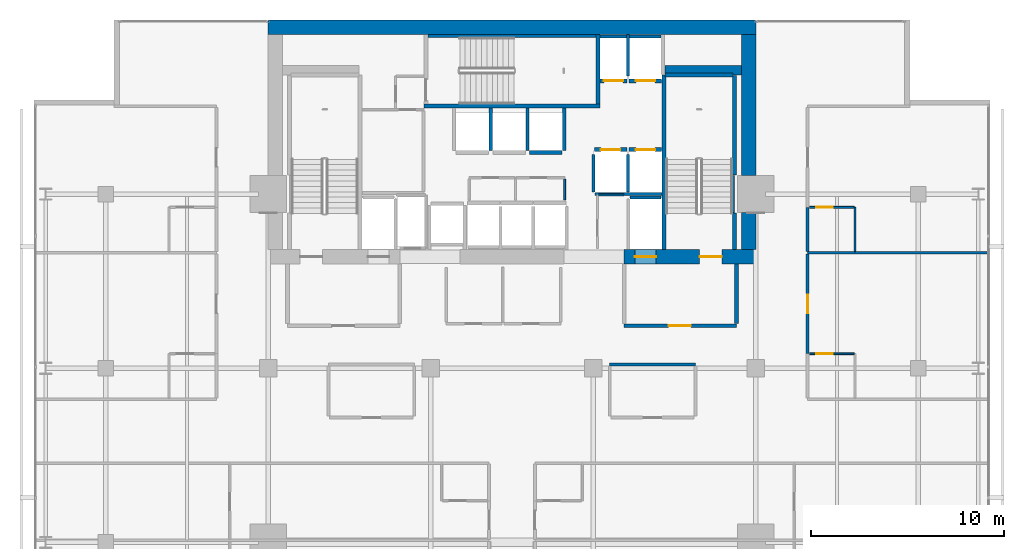
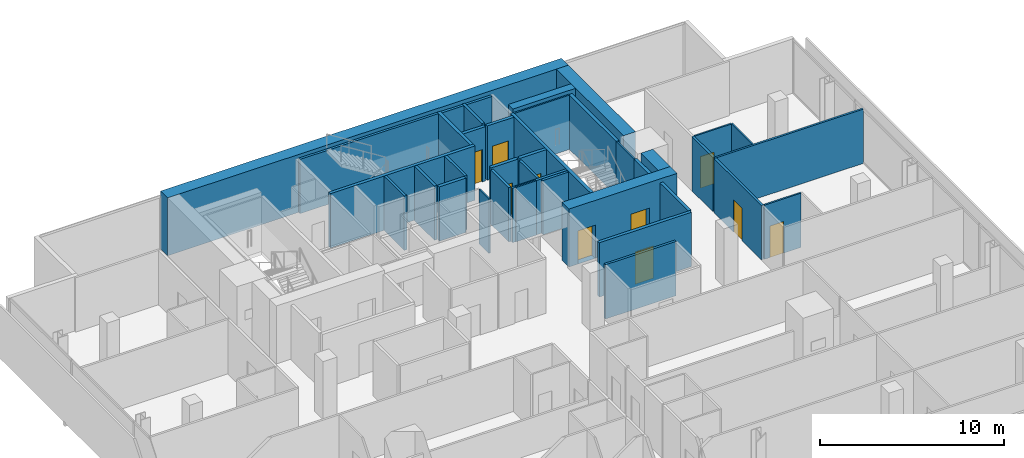
# One storey, part 31 of 34: 38 walls, 10 doors, 10 openings.
"""IFC4 building model written with IfcOpenShell, lengths in metres."""

from ifc_helpers import new_model, si_unit, direction, frame, frame_2d, origin, place, context, subcontext, project, spatial, rectangle, extrude, material, layer, layer_set, type_object, element, fill, save


model = new_model("IFC4")

# Units and contexts
model_context = context("Model", 3, precision=1e-05, world=origin(), true_north=direction((0.0, 1.0)))
body_context = subcontext(model_context, "Body", "Model", "MODEL_VIEW")
ifc_project = project(units=[si_unit("LENGTHUNIT", "METRE"), si_unit("AREAUNIT", "SQUARE_METRE"), si_unit("VOLUMEUNIT", "CUBIC_METRE"), si_unit("PLANEANGLEUNIT", "RADIAN"), si_unit("MASSUNIT", "GRAM", prefix="KILO")], contexts=[model_context])

# Site, building, storey
site_placement = place(None, origin())
site = spatial("IfcSite", under=ifc_project, at=site_placement, CompositionType="ELEMENT")
building_placement = place(site_placement, origin())
building = spatial("IfcBuilding", under=site, at=building_placement, Name="Maruvema Waterfront Hotel and Observation Tower", CompositionType="ELEMENT")
storey_placement = place(building_placement, frame((0.0, 0.0, 135.10009765625)))
storey = spatial("IfcBuildingStorey", under=building, at=storey_placement, Name="L32", CompositionType="ELEMENT", Elevation=135.10009765625)

# Wall
ifc_material_1 = material(Name="Twin-stud acoustic gypsum drywall", Category="gypsum")
ifc_layer_1 = layer(ifc_material_1, 0.14990234375, Name="Acoustic Corridor and Suite Demising Wall 150 mm")
ifc_layer_set_1 = layer_set([ifc_layer_1], Name="Twin-stud acoustic gypsum drywall")
wall_type_1 = type_object("IfcWallType", Name="Acoustic Corridor and Suite Demising Wall 150 mm", PredefinedType="PARTITIONING", material=ifc_layer_set_1)
wall_1_placement = place(storey_placement, frame((42.85009765625, 36.199951171875, 0.0), z_axis=(0.0, 0.0, 1.0), x_axis=(1.0, 0.0, 0.0)))
element("IfcWall", 1, at=wall_1_placement, inside=storey, type_object=wall_type_1, Name="L32 L32-M2 Back Wall 031", PredefinedType="PARTITIONING", context=body_context, shape_type="SweptSolid", body=[
    extrude(rectangle(XDim=4.429931640625, YDim=0.14990234375, at=frame_2d((2.21484375, 0.0))), origin(), (0.0, 0.0, 1.0), 3.60986328125),
])

# Wall, opening, door
wall_2_placement = place(storey_placement, frame((53.080078125, 36.75, 0.0), z_axis=(0.0, 0.0, 1.0), x_axis=(0.0, 1.0, 0.0)))
wall_2 = element("IfcWall", 2, at=wall_2_placement, inside=storey, type_object=wall_type_1, Name="L32 Room L32-NE1 Corridor Wall 130", PredefinedType="PARTITIONING", context=body_context, shape_type="SweptSolid", body=[
    extrude(rectangle(XDim=5.15869140625, YDim=0.14990234375, at=frame_2d((2.579345703125, 0.0))), origin(), (0.0, 0.0, 1.0), 3.60986328125),
])
opening_1_placement = place(wall_2_placement, frame((2.1044921875, 0.0, 0.0)))
opening_1 = element("IfcOpeningElement", 3, at=opening_1_placement, cuts=wall_2, Name="Opening DR-095", PredefinedType="OPENING", context=body_context, shape_type="SweptSolid", body=[
    extrude(rectangle(XDim=0.949951171875, YDim=2.14990234375, at=frame_2d((0.47509765625, 1.074951171875))), frame((0.0, 0.0849609375, 0.0), z_axis=(0.0, -1.0, 0.0), x_axis=(1.0, 0.0, 0.0)), (0.0, 0.0, 1.0), 0.169921875),
])
ifc_material_2 = material(Name="Acoustic solid-core hardwood timber leaf", Category="wood")
door_type_1 = type_object("IfcDoorType", Name="Guestroom Entrance Fire Door 950x2150 mm", OperationType="NOTDEFINED", PredefinedType="DOOR", material=ifc_material_2)
door_1_placement = place(opening_1_placement, frame((0.949951171875, 0.0, 0.0), z_axis=(0.0, 0.0, 1.0), x_axis=(-1.0, 0.0, 0.0)))
door_1 = element("IfcDoor", 4, at=door_1_placement, inside=storey, type_object=door_type_1, Name="L32 Room L32-NE1 Entrance Door", OperationType="SINGLE_SWING_RIGHT", OverallHeight=2.14990234375, OverallWidth=0.949951171875, PredefinedType="DOOR", context=body_context, shape_type="SweptSolid", body=[
    extrude(rectangle(XDim=0.949951171875, YDim=2.14990234375, at=frame_2d((0.47509765625, 1.074951171875))), frame((0.0, 0.02490234375, 0.0), z_axis=(0.0, -1.0, 0.0), x_axis=(1.0, 0.0, 0.0)), (0.0, 0.0, 1.0), 0.050048828125),
])
fill(opening_1, door_1)

# Walls
wall_3_placement = place(storey_placement, frame((53.080078125, 42.02880859375, 0.0), z_axis=(0.0, 0.0, 1.0), x_axis=(0.0, 1.0, 0.0)))
element("IfcWall", 5, at=wall_3_placement, inside=storey, type_object=wall_type_1, Name="L32 Bath L32-NE2 Wall 139", PredefinedType="PARTITIONING", context=body_context, shape_type="SweptSolid", body=[
    extrude(rectangle(XDim=2.2900390625, YDim=0.14990234375, at=frame_2d((1.14501953125, 0.0))), origin(), (0.0, 0.0, 1.0), 3.60986328125),
])
ifc_material_3 = material(Name="Precast concrete C45/55", Category="concrete")
ifc_layer_2 = layer(ifc_material_3, 0.14990234375, Name="Core Shaft Furring Wall 150 mm")
ifc_layer_set_2 = layer_set([ifc_layer_2], Name="Precast concrete C45/55")
wall_type_2 = type_object("IfcWallType", Name="Core Shaft Furring Wall 150 mm", PredefinedType="SOLIDWALL", material=ifc_layer_set_2)
wall_4_placement = place(storey_placement, frame((33.449951171875, 53.175048828125, 0.0), z_axis=(0.0, 0.0, 1.0), x_axis=(1.0, 0.0, 0.0)))
element("IfcWall", 6, at=wall_4_placement, inside=storey, type_object=wall_type_2, Name="L32 Stairwell ST-02 North Furring Wall", PredefinedType="SOLIDWALL", context=body_context, shape_type="SweptSolid", body=[
    extrude(rectangle(XDim=8.699951171875, YDim=0.14990234375, at=frame_2d((4.35009765625, 0.0))), origin(), (0.0, 0.0, 1.0), 3.60986328125),
])
ifc_material_4 = material(Name="Precast concrete C45/55", Category="concrete")
ifc_layer_3 = layer(ifc_material_4, 0.199951171875, Name="Core Shaft and Stairwell Enclosure Wall 200 mm")
ifc_layer_set_3 = layer_set([ifc_layer_3], Name="Precast concrete C45/55")
wall_type_3 = type_object("IfcWallType", Name="Core Shaft and Stairwell Enclosure Wall 200 mm", PredefinedType="SOLIDWALL", material=ifc_layer_set_3)
wall_5_placement = place(storey_placement, frame((33.25, 49.550048828125, 0.0), z_axis=(0.0, 0.0, 1.0), x_axis=(1.0, 0.0, 0.0)))
element("IfcWall", 7, at=wall_5_placement, inside=storey, type_object=wall_type_3, Name="L32 Stairwell ST-02 Shaft Wall", PredefinedType="SOLIDWALL", context=body_context, shape_type="SweptSolid", body=[
    extrude(rectangle(XDim=9.10009765625, YDim=0.199951171875, at=frame_2d((4.550048828125, 0.0))), origin(), (0.0, 0.0, 1.0), 3.60986328125),
])
wall_6_placement = place(storey_placement, frame((42.25, 49.64990234375, 0.0), z_axis=(0.0, 0.0, 1.0), x_axis=(0.0, 1.0, 0.0)))
element("IfcWall", 8, at=wall_6_placement, inside=storey, type_object=wall_type_3, Name="L32 Stairwell ST-02 Shaft Wall", PredefinedType="SOLIDWALL", context=body_context, shape_type="SweptSolid", body=[
    extrude(rectangle(XDim=3.60009765625, YDim=0.199951171875, at=frame_2d((1.800048828125, 0.0))), origin(), (0.0, 0.0, 1.0), 3.60986328125),
])
wall_7_placement = place(storey_placement, frame((45.64990234375, 42.14990234375, 0.0), z_axis=(0.0, 0.0, 1.0), x_axis=(0.0, 1.0, 0.0)))
element("IfcWall", 9, at=wall_7_placement, inside=storey, type_object=wall_type_3, Name="L32 Stairwell ST-03 West Shaft Wall", PredefinedType="SOLIDWALL", context=body_context, shape_type="SweptSolid", body=[
    extrude(rectangle(XDim=9.0, YDim=0.199951171875, at=frame_2d((4.5, 0.0))), origin(), (0.0, 0.0, 1.0), 3.60986328125),
])
wall_8_placement = place(storey_placement, frame((49.300048828125, 42.14990234375, 0.0), z_axis=(0.0, 0.0, 1.0), x_axis=(0.0, 1.0, 0.0)))
element("IfcWall", 10, at=wall_8_placement, inside=storey, type_object=wall_type_3, Name="L32 Stairwell ST-03 Shaft Lining Wall", PredefinedType="SOLIDWALL", context=body_context, shape_type="SweptSolid", body=[
    extrude(rectangle(XDim=1.8701171875, YDim=0.199951171875, at=frame_2d((0.93505859375, 0.0))), origin(), (0.0, 0.0, 1.0), 3.60986328125),
])
wall_9_placement = place(storey_placement, frame((49.300048828125, 45.97998046875, 0.0), z_axis=(0.0, 0.0, 1.0), x_axis=(0.0, 1.0, 0.0)))
element("IfcWall", 11, at=wall_9_placement, inside=storey, type_object=wall_type_3, Name="L32 Stairwell ST-03 Shaft Lining Wall", PredefinedType="SOLIDWALL", context=body_context, shape_type="SweptSolid", body=[
    extrude(rectangle(XDim=5.14013671875, YDim=0.199951171875, at=frame_2d((2.570068359375, 0.0))), origin(), (0.0, 0.0, 1.0), 3.60986328125),
])
wall_10_placement = place(storey_placement, frame((45.719970703125, 51.14990234375, 0.0), z_axis=(0.0, 0.0, 1.0), x_axis=(1.0, 0.0, 0.0)))
element("IfcWall", 12, at=wall_10_placement, inside=storey, type_object=wall_type_3, Name="L32 Stairwell ST-03 Shaft Lining Wall", PredefinedType="SOLIDWALL", context=body_context, shape_type="SweptSolid", body=[
    extrude(rectangle(XDim=3.5, YDim=0.199951171875, at=frame_2d((1.75, 0.0))), origin(), (0.0, 0.0, 1.0), 3.60986328125),
])

# Wall, opening, door
wall_11_placement = place(storey_placement, frame((42.06005859375, 47.300048828125, 0.0), z_axis=(0.0, 0.0, 1.0), x_axis=(1.0, 0.0, 0.0)))
wall_11 = element("IfcWall", 13, at=wall_11_placement, inside=storey, type_object=wall_type_3, Name="L32 Lift LF-05 Hoistway Front Wall", PredefinedType="SOLIDWALL", context=body_context, shape_type="SweptSolid", body=[
    extrude(rectangle(XDim=1.679931640625, YDim=0.199951171875, at=frame_2d((0.83984375, 0.0))), origin(), (0.0, 0.0, 1.0), 3.60986328125),
])
opening_2_placement = place(wall_11_placement, frame((0.340087890625, 0.0, 0.0)))
opening_2 = element("IfcOpeningElement", 14, at=opening_2_placement, cuts=wall_11, Name="Opening LD-01", PredefinedType="OPENING", context=body_context, shape_type="SweptSolid", body=[
    extrude(rectangle(XDim=1.0, YDim=2.14990234375, at=frame_2d((0.5, 1.074951171875))), frame((0.0, 0.10986328125, 0.0), z_axis=(0.0, -1.0, 0.0), x_axis=(1.0, 0.0, 0.0)), (0.0, 0.0, 1.0), 0.219970703125),
])
ifc_material_5 = material(Name="Brushed stainless steel Grade 316", Category="steel")
door_type_2 = type_object("IfcDoorType", Name="Passenger Lift Sliding Landing Door 1000x2150 mm", OperationType="SLIDING_TO_LEFT", PredefinedType="DOOR", material=ifc_material_5)
door_2_placement = place(opening_2_placement, origin())
door_2 = element("IfcDoor", 15, at=door_2_placement, inside=storey, type_object=door_type_2, Name="L32 Lift LF-05 Sliding Landing Door", OperationType="SLIDING_TO_LEFT", OverallHeight=2.14990234375, OverallWidth=1.0, PredefinedType="DOOR", context=body_context, shape_type="SweptSolid", body=[
    extrude(rectangle(XDim=1.0, YDim=2.14990234375, at=frame_2d((0.5, 1.074951171875))), frame((0.0, 0.02490234375, 0.0), z_axis=(0.0, -1.0, 0.0), x_axis=(1.0, 0.0, 0.0)), (0.0, 0.0, 1.0), 0.050048828125),
])
fill(opening_2, door_2)

wall_12_placement = place(storey_placement, frame((43.860107421875, 47.300048828125, 0.0), z_axis=(0.0, 0.0, 1.0), x_axis=(1.0, 0.0, 0.0)))
wall_12 = element("IfcWall", 16, at=wall_12_placement, inside=storey, type_object=wall_type_3, Name="L32 Lift LF-06 Hoistway Front Wall", PredefinedType="SOLIDWALL", context=body_context, shape_type="SweptSolid", body=[
    extrude(rectangle(XDim=1.679931640625, YDim=0.199951171875, at=frame_2d((0.83984375, 0.0))), origin(), (0.0, 0.0, 1.0), 3.60986328125),
])
opening_3_placement = place(wall_12_placement, frame((0.340087890625, 0.0, 0.0)))
opening_3 = element("IfcOpeningElement", 17, at=opening_3_placement, cuts=wall_12, Name="Opening LD-01", PredefinedType="OPENING", context=body_context, shape_type="SweptSolid", body=[
    extrude(rectangle(XDim=1.0, YDim=2.14990234375, at=frame_2d((0.5, 1.074951171875))), frame((0.0, 0.10986328125, 0.0), z_axis=(0.0, -1.0, 0.0), x_axis=(1.0, 0.0, 0.0)), (0.0, 0.0, 1.0), 0.219970703125),
])
door_3_placement = place(opening_3_placement, origin())
door_3 = element("IfcDoor", 18, at=door_3_placement, inside=storey, type_object=door_type_2, Name="L32 Lift LF-06 Sliding Landing Door", OperationType="SLIDING_TO_LEFT", OverallHeight=2.14990234375, OverallWidth=1.0, PredefinedType="DOOR", context=body_context, shape_type="SweptSolid", body=[
    extrude(rectangle(XDim=1.0, YDim=2.14990234375, at=frame_2d((0.5, 1.074951171875))), frame((0.0, 0.02490234375, 0.0), z_axis=(0.0, -1.0, 0.0), x_axis=(1.0, 0.0, 0.0)), (0.0, 0.0, 1.0), 0.050048828125),
])
fill(opening_3, door_3)

wall_13_placement = place(storey_placement, frame((42.360107421875, 50.85009765625, 0.0), z_axis=(0.0, 0.0, 1.0), x_axis=(1.0, 0.0, 0.0)))
wall_13 = element("IfcWall", 19, at=wall_13_placement, inside=storey, type_object=wall_type_3, Name="L32 Lift LF-07 Hoistway Front Wall", PredefinedType="SOLIDWALL", context=body_context, shape_type="SweptSolid", body=[
    extrude(rectangle(XDim=1.3798828125, YDim=0.199951171875, at=frame_2d((0.68994140625, 0.0))), origin(), (0.0, 0.0, 1.0), 3.60986328125),
])
opening_4_placement = place(wall_13_placement, frame((0.18994140625, 0.0, 0.0)))
opening_4 = element("IfcOpeningElement", 20, at=opening_4_placement, cuts=wall_13, Name="Opening LD-01", PredefinedType="OPENING", context=body_context, shape_type="SweptSolid", body=[
    extrude(rectangle(XDim=1.0, YDim=2.14990234375, at=frame_2d((0.5, 1.074951171875))), frame((0.0, 0.10986328125, 0.0), z_axis=(0.0, -1.0, 0.0), x_axis=(1.0, 0.0, 0.0)), (0.0, 0.0, 1.0), 0.219970703125),
])
door_4_placement = place(opening_4_placement, frame((1.0, 0.0, 0.0), z_axis=(0.0, 0.0, 1.0), x_axis=(-1.0, 0.0, 0.0)))
door_4 = element("IfcDoor", 21, at=door_4_placement, inside=storey, type_object=door_type_2, Name="L32 Lift LF-07 Sliding Landing Door", OperationType="SLIDING_TO_LEFT", OverallHeight=2.14990234375, OverallWidth=1.0, PredefinedType="DOOR", context=body_context, shape_type="SweptSolid", body=[
    extrude(rectangle(XDim=1.0, YDim=2.14990234375, at=frame_2d((0.5, 1.074951171875))), frame((0.0, 0.02490234375, 0.0), z_axis=(0.0, -1.0, 0.0), x_axis=(1.0, 0.0, 0.0)), (0.0, 0.0, 1.0), 0.050048828125),
])
fill(opening_4, door_4)

wall_14_placement = place(storey_placement, frame((43.860107421875, 50.85009765625, 0.0), z_axis=(0.0, 0.0, 1.0), x_axis=(1.0, 0.0, 0.0)))
wall_14 = element("IfcWall", 22, at=wall_14_placement, inside=storey, type_object=wall_type_3, Name="L32 Lift LF-08 Hoistway Front Wall", PredefinedType="SOLIDWALL", context=body_context, shape_type="SweptSolid", body=[
    extrude(rectangle(XDim=1.679931640625, YDim=0.199951171875, at=frame_2d((0.83984375, 0.0))), origin(), (0.0, 0.0, 1.0), 3.60986328125),
])
opening_5_placement = place(wall_14_placement, frame((0.340087890625, 0.0, 0.0)))
opening_5 = element("IfcOpeningElement", 23, at=opening_5_placement, cuts=wall_14, Name="Opening LD-01", PredefinedType="OPENING", context=body_context, shape_type="SweptSolid", body=[
    extrude(rectangle(XDim=1.0, YDim=2.14990234375, at=frame_2d((0.5, 1.074951171875))), frame((0.0, 0.10986328125, 0.0), z_axis=(0.0, -1.0, 0.0), x_axis=(1.0, 0.0, 0.0)), (0.0, 0.0, 1.0), 0.219970703125),
])
door_5_placement = place(opening_5_placement, frame((1.0, 0.0, 0.0), z_axis=(0.0, 0.0, 1.0), x_axis=(-1.0, 0.0, 0.0)))
door_5 = element("IfcDoor", 24, at=door_5_placement, inside=storey, type_object=door_type_2, Name="L32 Lift LF-08 Sliding Landing Door", OperationType="SLIDING_TO_LEFT", OverallHeight=2.14990234375, OverallWidth=1.0, PredefinedType="DOOR", context=body_context, shape_type="SweptSolid", body=[
    extrude(rectangle(XDim=1.0, YDim=2.14990234375, at=frame_2d((0.5, 1.074951171875))), frame((0.0, 0.02490234375, 0.0), z_axis=(0.0, -1.0, 0.0), x_axis=(1.0, 0.0, 0.0)), (0.0, 0.0, 1.0), 0.050048828125),
])
fill(opening_5, door_5)

# Walls
wall_15_placement = place(storey_placement, frame((38.7099609375, 47.14990234375, 0.0), z_axis=(0.0, 0.0, 1.0), x_axis=(1.0, 0.0, 0.0)))
element("IfcWall", 25, at=wall_15_placement, inside=storey, type_object=wall_type_3, Name="L32 Lift LF-14 Hoistway Front Wall", PredefinedType="SOLIDWALL", context=body_context, shape_type="SweptSolid", body=[
    extrude(rectangle(XDim=1.679931640625, YDim=0.199951171875, at=frame_2d((0.83984375, 0.0))), origin(), (0.0, 0.0, 1.0), 3.60986328125),
])
ifc_material_6 = material(Name="Concrete C70/85", Category="concrete")
ifc_layer_4 = layer(ifc_material_6, 0.5, Name="Core Shear Wall 500 mm")
ifc_layer_set_4 = layer_set([ifc_layer_4], Name="Concrete C70/85")
wall_type_4 = type_object("IfcWallType", Name="Core Shear Wall 500 mm", PredefinedType="SHEAR", material=ifc_layer_set_4)
wall_16_placement = place(storey_placement, frame((45.699951171875, 51.39990234375, 0.0), z_axis=(0.0, 0.0, 1.0), x_axis=(1.0, 0.0, 0.0)))
element("IfcWall", 26, at=wall_16_placement, inside=storey, type_object=wall_type_4, Name="L32 Internal Core Shear Wall NE 500 mm", PredefinedType="SHEAR", context=body_context, shape_type="SweptSolid", body=[
    extrude(rectangle(XDim=3.949951171875, YDim=0.5, at=frame_2d((1.97509765625, 0.0))), origin(), (0.0, 0.0, 1.0), 3.849853515625),
])
ifc_material_7 = material(Name="Concrete C70/85", Category="concrete")
ifc_layer_5 = layer(ifc_material_7, 0.75, Name="Core Shear Wall 750 mm")
ifc_layer_set_5 = layer_set([ifc_layer_5], Name="Concrete C70/85")
wall_type_5 = type_object("IfcWallType", Name="Core Shear Wall 750 mm", PredefinedType="SHEAR", material=ifc_layer_set_5)
wall_17_placement = place(storey_placement, frame((25.199951171875, 53.625, 0.0), z_axis=(0.0, 0.0, 1.0), x_axis=(1.0, 0.0, 0.0)))
element("IfcWall", 27, at=wall_17_placement, inside=storey, type_object=wall_type_5, Name="L32 North Core Shear Wall", PredefinedType="SHEAR", context=body_context, shape_type="SweptSolid", body=[
    extrude(rectangle(XDim=25.199951171875, YDim=0.75, at=frame_2d((12.60009765625, 0.0))), origin(), (0.0, 0.0, 1.0), 3.849853515625),
])

# Wall, openings, doors
wall_18_placement = place(storey_placement, frame((43.60009765625, 41.77490234375, 0.0), z_axis=(0.0, 0.0, 1.0), x_axis=(1.0, 0.0, 0.0)))
wall_18 = element("IfcWall", 28, at=wall_18_placement, inside=storey, type_object=wall_type_5, Name="L32 South-East Core Shear Wall", PredefinedType="SHEAR", context=body_context, shape_type="SweptSolid", body=[
    extrude(rectangle(XDim=6.7998046875, YDim=0.75, at=frame_2d((3.39990234375, 0.0))), origin(), (0.0, 0.0, 1.0), 3.849853515625),
])
opening_6_placement = place(wall_18_placement, frame((3.89990234375, 0.0, 0.0)))
opening_6 = element("IfcOpeningElement", 29, at=opening_6_placement, cuts=wall_18, Name="Opening SD-01", PredefinedType="OPENING", context=body_context, shape_type="SweptSolid", body=[
    extrude(rectangle(XDim=1.14990234375, YDim=2.14990234375, at=frame_2d((0.574951171875, 1.074951171875))), frame((0.0, 0.385009765625, 0.0), z_axis=(0.0, -1.0, 0.0), x_axis=(1.0, 0.0, 0.0)), (0.0, 0.0, 1.0), 0.77001953125),
])
opening_7_placement = place(wall_18_placement, frame((0.550048828125, 0.0, 0.0)))
opening_7 = element("IfcOpeningElement", 30, at=opening_7_placement, cuts=wall_18, Name="Opening LD-03", PredefinedType="OPENING", context=body_context, shape_type="SweptSolid", body=[
    extrude(rectangle(XDim=1.10009765625, YDim=2.199951171875, at=frame_2d((0.550048828125, 1.10009765625))), frame((0.0, 0.385009765625, 0.0), z_axis=(0.0, -1.0, 0.0), x_axis=(1.0, 0.0, 0.0)), (0.0, 0.0, 1.0), 0.77001953125),
])
ifc_material_8 = material(Name="Fire-rated galvanised steel leaf", Category="steel")
door_type_3 = type_object("IfcDoorType", Name="Exit Stair Fire Door 1150x2150 mm", OperationType="NOTDEFINED", PredefinedType="DOOR", material=ifc_material_8)
door_6_placement = place(opening_6_placement, origin())
door_6 = element("IfcDoor", 31, at=door_6_placement, inside=storey, type_object=door_type_3, Name="L32 Exit Stair ST-03 Fire Door", OperationType="SINGLE_SWING_RIGHT", OverallHeight=2.14990234375, OverallWidth=1.14990234375, PredefinedType="DOOR", context=body_context, shape_type="SweptSolid", body=[
    extrude(rectangle(XDim=1.14990234375, YDim=2.14990234375, at=frame_2d((0.574951171875, 1.074951171875))), frame((0.0, 0.02490234375, 0.0), z_axis=(0.0, -1.0, 0.0), x_axis=(1.0, 0.0, 0.0)), (0.0, 0.0, 1.0), 0.050048828125),
])
fill(opening_6, door_6)
ifc_material_9 = material(Name="Brushed stainless steel Grade 316", Category="steel")
door_type_4 = type_object("IfcDoorType", Name="Firefighting Lift Sliding Landing Door 1100x2200 mm", OperationType="SLIDING_TO_LEFT", PredefinedType="DOOR", material=ifc_material_9)
door_7_placement = place(opening_7_placement, frame((1.10009765625, 0.0, 0.0), z_axis=(0.0, 0.0, 1.0), x_axis=(-1.0, 0.0, 0.0)))
door_7 = element("IfcDoor", 32, at=door_7_placement, inside=storey, type_object=door_type_4, Name="L32 Firefighting Lift FL-02 Landing Door", OperationType="SLIDING_TO_LEFT", OverallHeight=2.199951171875, OverallWidth=1.10009765625, PredefinedType="DOOR", context=body_context, shape_type="SweptSolid", body=[
    extrude(rectangle(XDim=1.10009765625, YDim=2.199951171875, at=frame_2d((0.550048828125, 1.10009765625))), frame((0.0, 0.02490234375, 0.0), z_axis=(0.0, -1.0, 0.0), x_axis=(1.0, 0.0, 0.0)), (0.0, 0.0, 1.0), 0.050048828125),
])
fill(opening_7, door_7)

# Walls
wall_19_placement = place(storey_placement, frame((50.02490234375, 42.14990234375, 0.0), z_axis=(0.0, 0.0, 1.0), x_axis=(0.0, 1.0, 0.0)))
element("IfcWall", 33, at=wall_19_placement, inside=storey, type_object=wall_type_5, Name="L32 East-South Core Shear Wall", PredefinedType="SHEAR", context=body_context, shape_type="SweptSolid", body=[
    extrude(rectangle(XDim=1.900146484375, YDim=0.75, at=frame_2d((0.9501953125, 0.0))), origin(), (0.0, 0.0, 1.0), 3.849853515625),
])
wall_20_placement = place(storey_placement, frame((50.02490234375, 45.949951171875, 0.0), z_axis=(0.0, 0.0, 1.0), x_axis=(0.0, 1.0, 0.0)))
element("IfcWall", 34, at=wall_20_placement, inside=storey, type_object=wall_type_5, Name="L32 East-North Core Shear Wall", PredefinedType="SHEAR", context=body_context, shape_type="SweptSolid", body=[
    extrude(rectangle(XDim=7.300048828125, YDim=0.75, at=frame_2d((3.64990234375, 0.0))), origin(), (0.0, 0.0, 1.0), 3.849853515625),
])
ifc_material_10 = material(Name="Moisture-resistant cement-board drywall", Category="gypsum")
ifc_layer_6 = layer(ifc_material_10, 0.10009765625, Name="En-Suite Moisture-Resistant Partition 100 mm")
ifc_layer_set_6 = layer_set([ifc_layer_6], Name="Moisture-resistant cement-board drywall")
wall_type_6 = type_object("IfcWallType", Name="En-Suite Moisture-Resistant Partition 100 mm", PredefinedType="PARTITIONING", material=ifc_layer_set_6)
wall_21_placement = place(storey_placement, frame((40.52001953125, 44.699951171875, 0.0), z_axis=(0.0, 0.0, 1.0), x_axis=(0.0, 1.0, 0.0)))
element("IfcWall", 35, at=wall_21_placement, inside=storey, type_object=wall_type_6, Name="L32 Core Closet K2 East 014", PredefinedType="PARTITIONING", context=body_context, shape_type="SweptSolid", body=[
    extrude(rectangle(XDim=1.080078125, YDim=0.10009765625, at=frame_2d((0.5400390625, 0.0))), origin(), (0.0, 0.0, 1.0), 3.60986328125),
])
wall_22_placement = place(storey_placement, frame((42.280029296875, 44.9599609375, 0.0), z_axis=(0.0, 0.0, 1.0), x_axis=(1.0, 0.0, 0.0)))
element("IfcWall", 36, at=wall_22_placement, inside=storey, type_object=wall_type_6, Name="L32 Core Closet K2C North 016", PredefinedType="PARTITIONING", context=body_context, shape_type="SweptSolid", body=[
    extrude(rectangle(XDim=1.300048828125, YDim=0.10009765625, at=frame_2d((0.64990234375, 0.0))), origin(), (0.0, 0.0, 1.0), 3.60986328125),
])

# Wall, opening, door
wall_23_placement = place(storey_placement, frame((53.179931640625, 36.75, 0.0), z_axis=(0.0, 0.0, 1.0), x_axis=(1.0, 0.0, 0.0)))
wall_23 = element("IfcWall", 37, at=wall_23_placement, inside=storey, type_object=wall_type_6, Name="L32 En-Suite L32-NE1 N 132", PredefinedType="PARTITIONING", context=body_context, shape_type="SweptSolid", body=[
    extrude(rectangle(XDim=2.300048828125, YDim=0.10009765625, at=frame_2d((1.14990234375, 0.0))), origin(), (0.0, 0.0, 1.0), 3.60986328125),
])
opening_8_placement = place(wall_23_placement, frame((0.35009765625, 0.0, 0.0)))
opening_8 = element("IfcOpeningElement", 38, at=opening_8_placement, cuts=wall_23, Name="Opening DR-085", PredefinedType="OPENING", context=body_context, shape_type="SweptSolid", body=[
    extrude(rectangle(XDim=0.85009765625, YDim=2.10009765625, at=frame_2d((0.425048828125, 1.050048828125))), frame((0.0, 0.06005859375, 0.0), z_axis=(0.0, -1.0, 0.0), x_axis=(1.0, 0.0, 0.0)), (0.0, 0.0, 1.0), 0.1201171875),
])
ifc_material_11 = material(Name="Moisture-resistant solid timber leaf", Category="wood")
door_type_5 = type_object("IfcDoorType", Name="En-Suite Bathroom Door 850x2100 mm", OperationType="NOTDEFINED", PredefinedType="DOOR", material=ifc_material_11)
door_8_placement = place(opening_8_placement, origin())
door_8 = element("IfcDoor", 39, at=door_8_placement, inside=storey, type_object=door_type_5, Name="L32 En-Suite L32-NE1 Door", OperationType="SINGLE_SWING_LEFT", OverallHeight=2.10009765625, OverallWidth=0.85009765625, PredefinedType="DOOR", context=body_context, shape_type="SweptSolid", body=[
    extrude(rectangle(XDim=0.85009765625, YDim=2.10009765625, at=frame_2d((0.425048828125, 1.050048828125))), frame((0.0, 0.02490234375, 0.0), z_axis=(0.0, -1.0, 0.0), x_axis=(1.0, 0.0, 0.0)), (0.0, 0.0, 1.0), 0.050048828125),
])
fill(opening_8, door_8)

# Wall
wall_24_placement = place(storey_placement, frame((55.530029296875, 42.02880859375, 0.0), z_axis=(0.0, 0.0, 1.0), x_axis=(0.0, 1.0, 0.0)))
element("IfcWall", 40, at=wall_24_placement, inside=storey, type_object=wall_type_6, Name="L32 En-Suite L32-NE2 E 141", PredefinedType="PARTITIONING", context=body_context, shape_type="SweptSolid", body=[
    extrude(rectangle(XDim=2.2900390625, YDim=0.10009765625, at=frame_2d((1.14501953125, 0.0))), origin(), (0.0, 0.0, 1.0), 3.60986328125),
])

# Wall, opening, door
wall_25_placement = place(storey_placement, frame((53.179931640625, 44.31884765625, 0.0), z_axis=(0.0, 0.0, 1.0), x_axis=(1.0, 0.0, 0.0)))
wall_25 = element("IfcWall", 41, at=wall_25_placement, inside=storey, type_object=wall_type_6, Name="L32 En-Suite L32-NE2 N 142", PredefinedType="PARTITIONING", context=body_context, shape_type="SweptSolid", body=[
    extrude(rectangle(XDim=2.300048828125, YDim=0.10009765625, at=frame_2d((1.14990234375, 0.0))), origin(), (0.0, 0.0, 1.0), 3.60986328125),
])
opening_9_placement = place(wall_25_placement, frame((0.35009765625, 0.0, 0.0)))
opening_9 = element("IfcOpeningElement", 42, at=opening_9_placement, cuts=wall_25, Name="Opening DR-085", PredefinedType="OPENING", context=body_context, shape_type="SweptSolid", body=[
    extrude(rectangle(XDim=0.85009765625, YDim=2.10009765625, at=frame_2d((0.425048828125, 1.050048828125))), frame((0.0, 0.06005859375, 0.0), z_axis=(0.0, -1.0, 0.0), x_axis=(1.0, 0.0, 0.0)), (0.0, 0.0, 1.0), 0.1201171875),
])
door_9_placement = place(opening_9_placement, origin())
door_9 = element("IfcDoor", 43, at=door_9_placement, inside=storey, type_object=door_type_5, Name="L32 En-Suite L32-NE2 Door", OperationType="SINGLE_SWING_LEFT", OverallHeight=2.10009765625, OverallWidth=0.85009765625, PredefinedType="DOOR", context=body_context, shape_type="SweptSolid", body=[
    extrude(rectangle(XDim=0.85009765625, YDim=2.10009765625, at=frame_2d((0.425048828125, 1.050048828125))), frame((0.0, 0.02490234375, 0.0), z_axis=(0.0, -1.0, 0.0), x_axis=(1.0, 0.0, 0.0)), (0.0, 0.0, 1.0), 0.050048828125),
])
fill(opening_9, door_9)

ifc_material_12 = material(Name="Autoclaved cellular concrete blockwork", Category="masonry")
ifc_layer_7 = layer(ifc_material_12, 0.199951171875, Name="Fire Compartment Masonry Wall 200 mm")
ifc_layer_set_7 = layer_set([ifc_layer_7], Name="Autoclaved cellular concrete blockwork")
wall_type_7 = type_object("IfcWallType", Name="Fire Compartment Masonry Wall 200 mm", PredefinedType="PARTITIONING", material=ifc_layer_set_7)
wall_26_placement = place(storey_placement, frame((43.60009765625, 38.199951171875, 0.0), z_axis=(0.0, 0.0, 1.0), x_axis=(1.0, 0.0, 0.0)))
wall_26 = element("IfcWall", 44, at=wall_26_placement, inside=storey, type_object=wall_type_7, Name="L32 FFL East South Wall 004", PredefinedType="PARTITIONING", context=body_context, shape_type="SweptSolid", body=[
    extrude(rectangle(XDim=5.7998046875, YDim=0.199951171875, at=frame_2d((2.89990234375, 0.0))), origin(), (0.0, 0.0, 1.0), 3.60986328125),
])
opening_10_placement = place(wall_26_placement, frame((2.300048828125, 0.0, 0.0)))
opening_10 = element("IfcOpeningElement", 45, at=opening_10_placement, cuts=wall_26, Name="Opening FD-115", PredefinedType="OPENING", context=body_context, shape_type="SweptSolid", body=[
    extrude(rectangle(XDim=1.14990234375, YDim=2.14990234375, at=frame_2d((0.574951171875, 1.074951171875))), frame((0.0, 0.10986328125, 0.0), z_axis=(0.0, -1.0, 0.0), x_axis=(1.0, 0.0, 0.0)), (0.0, 0.0, 1.0), 0.219970703125),
])
ifc_material_13 = material(Name="Fire-rated galvanised steel and vision glass", Category="steel")
door_type_6 = type_object("IfcDoorType", Name="Firefighting Lobby Fire Door 1150x2150 mm", OperationType="NOTDEFINED", PredefinedType="DOOR", material=ifc_material_13)
door_10_placement = place(opening_10_placement, frame((1.14990234375, 0.0, 0.0), z_axis=(0.0, 0.0, 1.0), x_axis=(-1.0, 0.0, 0.0)))
door_10 = element("IfcDoor", 46, at=door_10_placement, inside=storey, type_object=door_type_6, Name="L32 Firefighting Lobby East Door", OperationType="SINGLE_SWING_RIGHT", OverallHeight=2.14990234375, OverallWidth=1.14990234375, PredefinedType="DOOR", context=body_context, shape_type="SweptSolid", body=[
    extrude(rectangle(XDim=1.14990234375, YDim=2.14990234375, at=frame_2d((0.574951171875, 1.074951171875))), frame((0.0, 0.02490234375, 0.0), z_axis=(0.0, -1.0, 0.0), x_axis=(1.0, 0.0, 0.0)), (0.0, 0.0, 1.0), 0.050048828125),
])
fill(opening_10, door_10)

# Walls
wall_27_placement = place(storey_placement, frame((49.39990234375, 38.31005859375, 0.0), z_axis=(0.0, 0.0, 1.0), x_axis=(0.0, 1.0, 0.0)))
element("IfcWall", 47, at=wall_27_placement, inside=storey, type_object=wall_type_7, Name="L32 FFL East East Wall 006", PredefinedType="PARTITIONING", context=body_context, shape_type="SweptSolid", body=[
    extrude(rectangle(XDim=3.06982421875, YDim=0.199951171875, at=frame_2d((1.534912109375, 0.0))), origin(), (0.0, 0.0, 1.0), 3.60986328125),
])
ifc_material_14 = material(Name="Acoustic gypsum plasterboard drywall", Category="gypsum")
ifc_layer_8 = layer(ifc_material_14, 0.125, Name="Guestroom Acoustic Demising Wall 125 mm")
ifc_layer_set_8 = layer_set([ifc_layer_8], Name="Acoustic gypsum plasterboard drywall")
wall_type_8 = type_object("IfcWallType", Name="Guestroom Acoustic Demising Wall 125 mm", PredefinedType="PARTITIONING", material=ifc_layer_set_8)
wall_28_placement = place(storey_placement, frame((53.080078125, 41.96875, 0.0), z_axis=(0.0, 0.0, 1.0), x_axis=(1.0, 0.0, 0.0)))
element("IfcWall", 48, at=wall_28_placement, inside=storey, type_object=wall_type_8, Name="L32 Z2 NE Demising 2 134", PredefinedType="PARTITIONING", context=body_context, shape_type="SweptSolid", body=[
    extrude(rectangle(XDim=9.31982421875, YDim=0.125, at=frame_2d((4.659912109375, 0.0))), origin(), (0.0, 0.0, 1.0), 3.60986328125),
])
ifc_material_15 = material(Name="Precast concrete C45/55", Category="concrete")
ifc_layer_9 = layer(ifc_material_15, 0.159912109375, Name="Lift Hoistway Divider Wall 160 mm")
ifc_layer_set_9 = layer_set([ifc_layer_9], Name="Precast concrete C45/55")
wall_type_9 = type_object("IfcWallType", Name="Lift Hoistway Divider Wall 160 mm", PredefinedType="SOLIDWALL", material=ifc_layer_set_9)
wall_29_placement = place(storey_placement, frame((43.89990234375, 44.830078125, 0.0), z_axis=(0.0, 0.0, 1.0), x_axis=(1.0, 0.0, 0.0)))
element("IfcWall", 49, at=wall_29_placement, inside=storey, type_object=wall_type_9, Name="L32 Lift FL-02 Rear Hoistway Wall", PredefinedType="SOLIDWALL", context=body_context, shape_type="SweptSolid", body=[
    extrude(rectangle(XDim=1.60009765625, YDim=0.159912109375, at=frame_2d((0.800048828125, 0.0))), origin(), (0.0, 0.0, 1.0), 3.60986328125),
])
for number, where, z_axis, x_axis, name in (
    (50, (42.02001953125, 45.10009765625, 0.0), (0.0, 0.0, 1.0), (0.0, 1.0, 0.0), "L32 Hoistway Divider Wall"),
    (51, (43.800048828125, 45.10009765625, 0.0), (0.0, 0.0, 1.0), (0.0, 1.0, 0.0), "L32 Hoistway Divider Wall"),
):
    element("IfcWall", number, at=place(storey_placement, frame(where, z_axis=z_axis, x_axis=x_axis)), inside=storey, type_object=wall_type_9, Name=name, PredefinedType="SOLIDWALL", context=body_context, shape_type="SweptSolid", body=[
        extrude(rectangle(XDim=1.949951171875, YDim=0.159912109375, at=frame_2d((0.97509765625, 0.0))), origin(), (0.0, 0.0, 1.0), 3.60986328125),
    ])
wall_30_placement = place(storey_placement, frame((42.10009765625, 45.010009765625, 0.0), z_axis=(0.0, 0.0, 1.0), x_axis=(1.0, 0.0, 0.0)))
element("IfcWall", 52, at=wall_30_placement, inside=storey, type_object=wall_type_9, Name="L32 Hoistway Divider Wall", PredefinedType="SOLIDWALL", context=body_context, shape_type="SweptSolid", body=[
    extrude(rectangle(XDim=3.449951171875, YDim=0.159912109375, at=frame_2d((1.72509765625, 0.0))), origin(), (0.0, 0.0, 1.0), 3.60986328125),
])
wall_31_placement = place(storey_placement, frame((43.800048828125, 51.10009765625, 0.0), z_axis=(0.0, 0.0, 1.0), x_axis=(0.0, 1.0, 0.0)))
element("IfcWall", 53, at=wall_31_placement, inside=storey, type_object=wall_type_9, Name="L32 Hoistway Divider Wall", PredefinedType="SOLIDWALL", context=body_context, shape_type="SweptSolid", body=[
    extrude(rectangle(XDim=2.14990234375, YDim=0.159912109375, at=frame_2d((1.074951171875, 0.0))), origin(), (0.0, 0.0, 1.0), 3.60986328125),
])
wall_32_placement = place(storey_placement, frame((42.360107421875, 53.139892578125, 0.0), z_axis=(0.0, 0.0, 1.0), x_axis=(1.0, 0.0, 0.0)))
element("IfcWall", 54, at=wall_32_placement, inside=storey, type_object=wall_type_9, Name="L32 Hoistway Divider Wall", PredefinedType="SOLIDWALL", context=body_context, shape_type="SweptSolid", body=[
    extrude(rectangle(XDim=3.139892578125, YDim=0.159912109375, at=frame_2d((1.56982421875, 0.0))), origin(), (0.0, 0.0, 1.0), 3.60986328125),
])
for number, where, z_axis, x_axis, name in (
    (55, (36.699951171875, 47.25, 0.0), (0.0, 0.0, 1.0), (0.0, 1.0, 0.0), "L32 Hoistway Divider Wall"),
    (56, (38.60009765625, 47.25, 0.0), (0.0, 0.0, 1.0), (0.0, 1.0, 0.0), "L32 Hoistway Divider Wall"),
    (57, (40.5, 47.25, 0.0), (0.0, 0.0, 1.0), (0.0, 1.0, 0.0), "L32 Hoistway Divider Wall"),
):
    element("IfcWall", number, at=place(storey_placement, frame(where, z_axis=z_axis, x_axis=x_axis)), inside=storey, type_object=wall_type_9, Name=name, PredefinedType="SOLIDWALL", context=body_context, shape_type="SweptSolid", body=[
        extrude(rectangle(XDim=2.18994140625, YDim=0.159912109375, at=frame_2d((1.094970703125, 0.0))), origin(), (0.0, 0.0, 1.0), 3.60986328125),
    ])
ifc_material_16 = material(Name="Precast concrete C45/55", Category="concrete")
ifc_layer_10 = layer(ifc_material_16, 0.10009765625, Name="Stairwell Stringer Cheek Wall 100 mm")
ifc_layer_set_10 = layer_set([ifc_layer_10], Name="Precast concrete C45/55")
wall_type_10 = type_object("IfcWallType", Name="Stairwell Stringer Cheek Wall 100 mm", PredefinedType="SOLIDWALL", material=ifc_layer_set_10)
wall_33_placement = place(storey_placement, frame((49.248046875, 44.0400390625, 0.0), z_axis=(0.0, 0.0, 1.0), x_axis=(0.0, 1.0, 0.0)))
element("IfcWall", 58, at=wall_33_placement, inside=storey, type_object=wall_type_10, Name="L32 Stairwell ST-03 Mega-Column Cheek Wall", PredefinedType="SOLIDWALL", context=body_context, shape_type="SweptSolid", body=[
    extrude(rectangle(XDim=1.919921875, YDim=0.10009765625, at=frame_2d((0.9599609375, 0.0))), origin(), (0.0, 0.0, 1.0), 3.60986328125),
])

save(model, "model.ifc")
